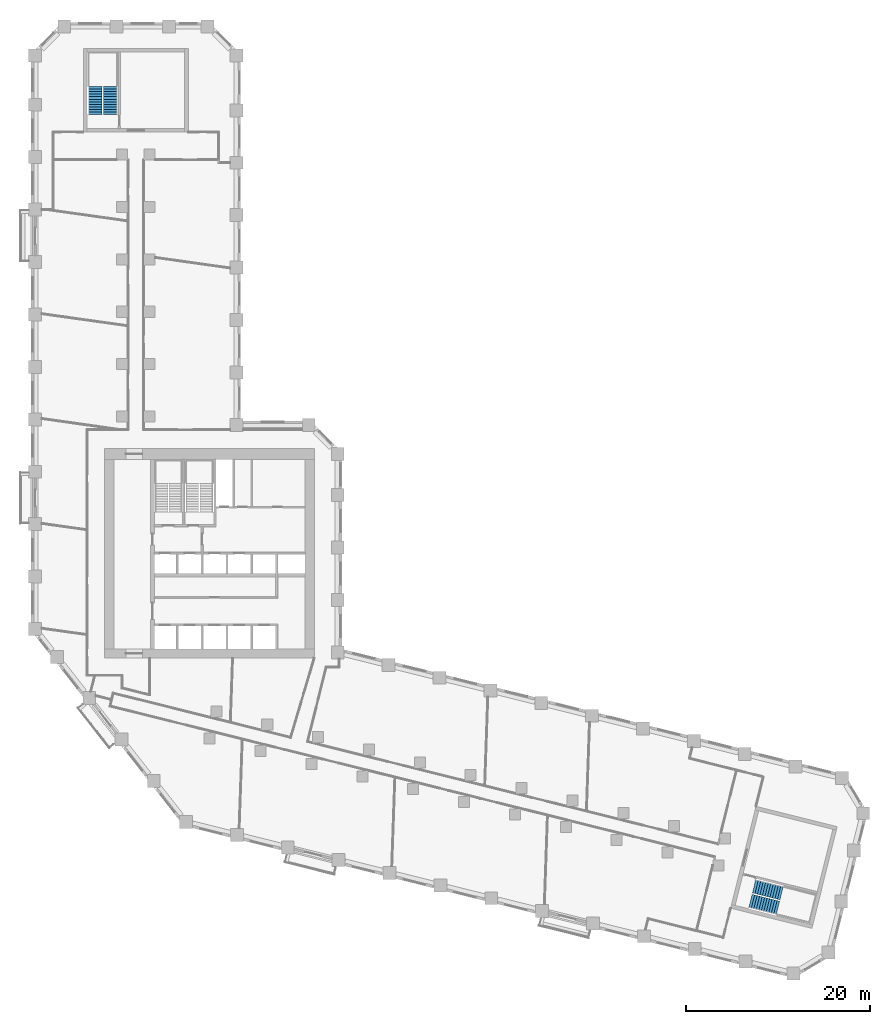
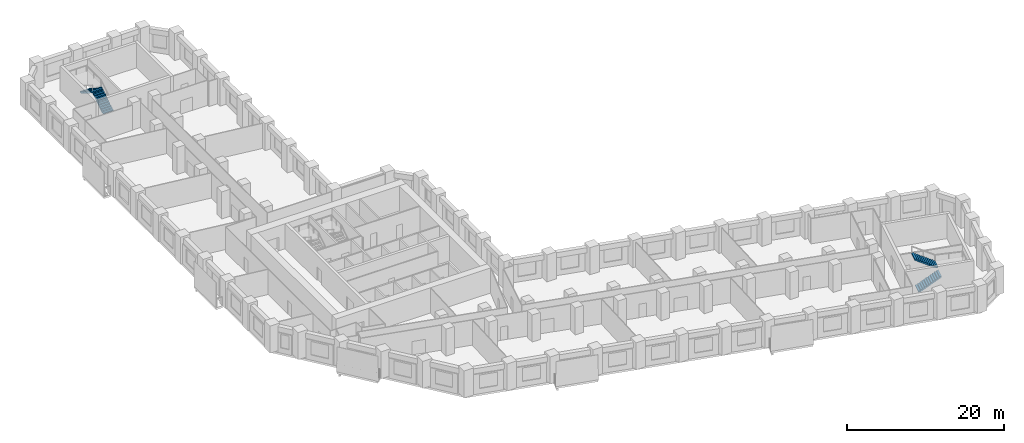
# One storey, part 10 of 11: 4 stair flights, 2 elements without a shape of their own.
"""IFC4 building model written with IfcOpenShell, lengths in metres."""

from ifc_helpers import new_model, si_unit, direction, frame, origin, place, context, subcontext, project, spatial, polyline, outline, extrude, material, type_object, element, aggregate, save


model = new_model("IFC4")

# Units and contexts
model_context = context("Model", 3, precision=1e-05, world=origin(), true_north=direction((0.0, 1.0)))
body_context = subcontext(model_context, "Body", "Model", "MODEL_VIEW")
ifc_project = project(units=[si_unit("LENGTHUNIT", "METRE"), si_unit("AREAUNIT", "SQUARE_METRE"), si_unit("VOLUMEUNIT", "CUBIC_METRE"), si_unit("PLANEANGLEUNIT", "RADIAN"), si_unit("MASSUNIT", "GRAM", prefix="KILO")], contexts=[model_context])

# Site, building, storey
site_placement = place(None, origin())
site = spatial("IfcSite", under=ifc_project, at=site_placement, CompositionType="ELEMENT")
building_placement = place(site_placement, origin())
building = spatial("IfcBuilding", under=site, at=building_placement, Name="Meshkara Civic Tower", CompositionType="ELEMENT")
storey_placement = place(building_placement, frame((0.0, 0.0, 79.199951171875)))
storey = spatial("IfcBuildingStorey", under=building, at=storey_placement, Name="L17", CompositionType="ELEMENT", Elevation=79.199951171875)

# Stair, stair flights
ifc_material_1 = material(Name="Precast concrete C40/50", Category="concrete")
stair_type = type_object("IfcStairType", Name="Exit stair half-turn 24 risers 1500 precast", PredefinedType="HALF_TURN_STAIR", material=ifc_material_1)
stair_1_placement = place(storey_placement, origin())
stair_1 = element("IfcStair", 1, at=stair_1_placement, inside=storey, type_object=stair_type, Name="L17 exit stair A from B2", PredefinedType="HALF_TURN_STAIR")
ifc_material_2 = material(Name="Precast concrete C40/50", Category="concrete")
stair_flight_type = type_object("IfcStairFlightType", Name="Exit stair flight 12 risers 1500 precast", PredefinedType="STRAIGHT", material=ifc_material_2)
stair_flight_1_placement = place(storey_placement, frame((8.625, 73.169921875, 0.0), z_axis=(0.0, 0.0, 1.0), x_axis=(0.0, 1.0, 0.0)))
stair_flight_1 = element("IfcStairFlight", 2, at=stair_flight_1_placement, type_object=stair_flight_type, Name="ESA1 flight 1", NumberOfRisers=12, NumberOfTreads=11, PredefinedType="STRAIGHT", RiserHeight=0.175, TreadLength=0.28, context=body_context, shape_type="SweptSolid", body=[
    extrude(outline(polyline([(0.0, 0.0), (0.0, 0.175048828125), (0.280029296875, 0.175048828125), (0.280029296875, 0.35009765625), (0.56005859375, 0.35009765625), (0.56005859375, 0.52490234375), (0.840087890625, 0.52490234375), (0.840087890625, 0.699951171875), (1.1201171875, 0.699951171875), (1.1201171875, 0.875), (1.39990234375, 0.875), (1.39990234375, 1.050048828125), (1.679931640625, 1.050048828125), (1.679931640625, 1.22509765625), (1.9599609375, 1.22509765625), (1.9599609375, 1.39990234375), (2.239990234375, 1.39990234375), (2.239990234375, 1.574951171875), (2.52001953125, 1.574951171875), (2.52001953125, 1.75), (2.800048828125, 1.75), (2.800048828125, 1.925048828125), (3.080078125, 1.925048828125), (3.080078125, 2.10009765625), (3.080078125, 1.748291015625), (0.28271484375, 0.0), (0.0, 0.0)])), frame((0.0, 0.75, 0.0), z_axis=(0.0, -1.0, 0.0), x_axis=(1.0, 0.0, 0.0)), (0.0, 0.0, 1.0), 1.5),
])
stair_flight_2_placement = place(storey_placement, frame((6.97509765625, 76.25, 2.10009765625), z_axis=(0.0, 0.0, 1.0), x_axis=(0.0, -1.0, 0.0)))
stair_flight_2 = element("IfcStairFlight", 3, at=stair_flight_2_placement, type_object=stair_flight_type, Name="ESA1 flight 2", NumberOfRisers=12, NumberOfTreads=11, PredefinedType="STRAIGHT", RiserHeight=0.175, TreadLength=0.28, context=body_context, shape_type="SweptSolid", body=[
    extrude(outline(polyline([(0.0, 0.0), (0.0, 0.175048828125), (0.280029296875, 0.175048828125), (0.280029296875, 0.35009765625), (0.56005859375, 0.35009765625), (0.56005859375, 0.52490234375), (0.840087890625, 0.52490234375), (0.840087890625, 0.699951171875), (1.1201171875, 0.699951171875), (1.1201171875, 0.875), (1.39990234375, 0.875), (1.39990234375, 1.050048828125), (1.679931640625, 1.050048828125), (1.679931640625, 1.22509765625), (1.9599609375, 1.22509765625), (1.9599609375, 1.39990234375), (2.239990234375, 1.39990234375), (2.239990234375, 1.574951171875), (2.52001953125, 1.574951171875), (2.52001953125, 1.75), (2.800048828125, 1.75), (2.800048828125, 1.925048828125), (3.080078125, 1.925048828125), (3.080078125, 2.10009765625), (3.080078125, 1.748291015625), (0.28271484375, 0.0), (0.0, 0.0)])), frame((0.0, 0.75, 0.0), z_axis=(0.0, -1.0, 0.0), x_axis=(1.0, 0.0, 0.0)), (0.0, 0.0, 1.0), 1.5),
])
aggregate(stair_1, [stair_flight_1, stair_flight_2])

stair_2_placement = place(storey_placement, origin())
stair_2 = element("IfcStair", 4, at=stair_2_placement, inside=storey, type_object=stair_type, Name="L17 exit stair B from B2", PredefinedType="HALF_TURN_STAIR")
stair_flight_3_placement = place(storey_placement, frame((78.214599609375, -12.3125, 0.0), z_axis=(0.0, 0.0, 1.0), x_axis=(0.970260066579, -0.242064873955, 0.0)))
stair_flight_3 = element("IfcStairFlight", 5, at=stair_flight_3_placement, type_object=stair_flight_type, Name="ESB1 flight 1", NumberOfRisers=12, NumberOfTreads=11, PredefinedType="STRAIGHT", RiserHeight=0.175, TreadLength=0.28, context=body_context, shape_type="SweptSolid", body=[
    extrude(outline(polyline([(0.0, 0.0), (0.0, 0.175048828125), (0.280029296875, 0.175048828125), (0.280029296875, 0.35009765625), (0.56005859375, 0.35009765625), (0.56005859375, 0.52490234375), (0.840087890625, 0.52490234375), (0.840087890625, 0.699951171875), (1.1201171875, 0.699951171875), (1.1201171875, 0.875), (1.39990234375, 0.875), (1.39990234375, 1.050048828125), (1.679931640625, 1.050048828125), (1.679931640625, 1.22509765625), (1.9599609375, 1.22509765625), (1.9599609375, 1.39990234375), (2.239990234375, 1.39990234375), (2.239990234375, 1.574951171875), (2.52001953125, 1.574951171875), (2.52001953125, 1.75), (2.800048828125, 1.75), (2.800048828125, 1.925048828125), (3.080078125, 1.925048828125), (3.080078125, 2.10009765625), (3.080078125, 1.748291015625), (0.28271484375, 0.0), (0.0, 0.0)])), frame((0.0, 0.75, 0.0), z_axis=(0.0, -1.0, 0.0), x_axis=(1.0, 0.0, 0.0)), (0.0, 0.0, 1.0), 1.5),
])
stair_flight_4_placement = place(storey_placement, frame((81.6025390625, -11.457275390625, 2.10009765625), z_axis=(0.0, 0.0, 1.0), x_axis=(-0.970260066579, 0.242064873955, 0.0)))
stair_flight_4 = element("IfcStairFlight", 6, at=stair_flight_4_placement, type_object=stair_flight_type, Name="ESB1 flight 2", NumberOfRisers=12, NumberOfTreads=11, PredefinedType="STRAIGHT", RiserHeight=0.175, TreadLength=0.28, context=body_context, shape_type="SweptSolid", body=[
    extrude(outline(polyline([(0.0, 0.0), (0.0, 0.175048828125), (0.280029296875, 0.175048828125), (0.280029296875, 0.35009765625), (0.56005859375, 0.35009765625), (0.56005859375, 0.52490234375), (0.840087890625, 0.52490234375), (0.840087890625, 0.699951171875), (1.1201171875, 0.699951171875), (1.1201171875, 0.875), (1.39990234375, 0.875), (1.39990234375, 1.050048828125), (1.679931640625, 1.050048828125), (1.679931640625, 1.22509765625), (1.9599609375, 1.22509765625), (1.9599609375, 1.39990234375), (2.239990234375, 1.39990234375), (2.239990234375, 1.574951171875), (2.52001953125, 1.574951171875), (2.52001953125, 1.75), (2.800048828125, 1.75), (2.800048828125, 1.925048828125), (3.080078125, 1.925048828125), (3.080078125, 2.10009765625), (3.080078125, 1.748291015625), (0.28271484375, 0.0), (0.0, 0.0)])), frame((0.0, 0.75, 0.0), z_axis=(0.0, -1.0, 0.0), x_axis=(1.0, 0.0, 0.0)), (0.0, 0.0, 1.0), 1.5),
])
aggregate(stair_2, [stair_flight_3, stair_flight_4])

save(model, "model.ifc")
